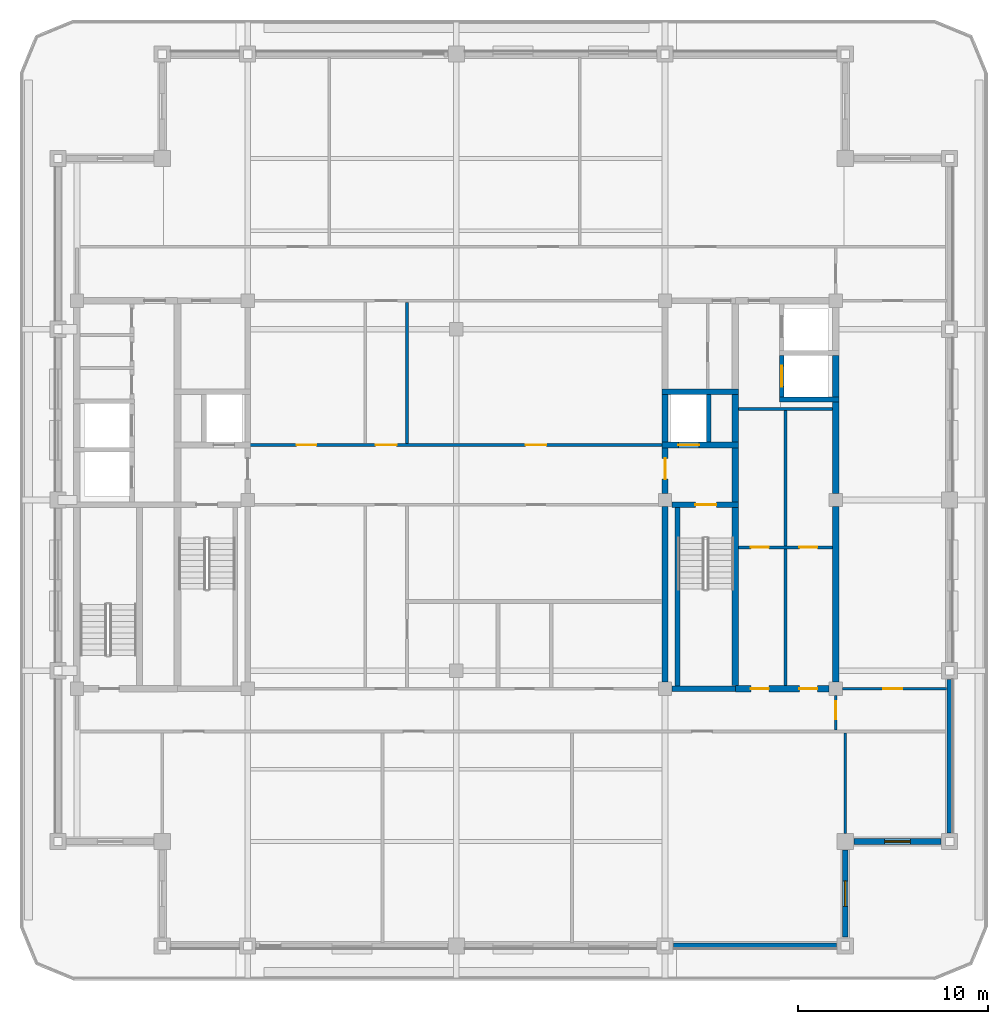
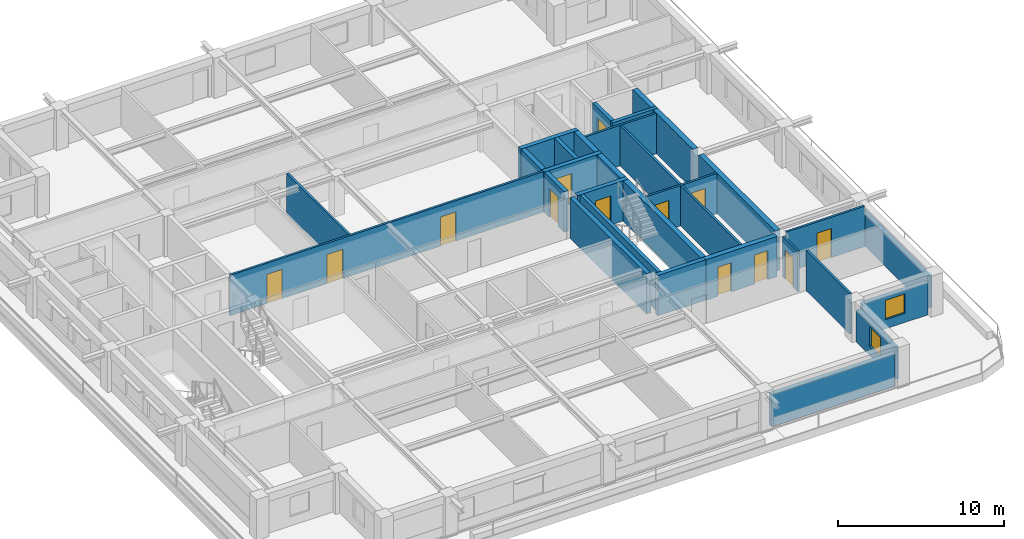
# One storey, part 4 of 11: 31 walls, 13 doors, 2 windows, 15 openings.
"""IFC4 building model written with IfcOpenShell, lengths in metres."""

from ifc_helpers import new_model, si_unit, direction, frame, frame_2d, origin, place, context, subcontext, project, spatial, rectangle, extrude, material, layer, layer_set, type_object, element, fill, save


model = new_model("IFC4")

# Units and contexts
model_context = context("Model", 3, precision=1e-05, world=origin(), true_north=direction((0.0, 1.0)))
body_context = subcontext(model_context, "Body", "Model", "MODEL_VIEW")
ifc_project = project(units=[si_unit("LENGTHUNIT", "METRE"), si_unit("AREAUNIT", "SQUARE_METRE"), si_unit("VOLUMEUNIT", "CUBIC_METRE"), si_unit("PLANEANGLEUNIT", "RADIAN"), si_unit("MASSUNIT", "GRAM", prefix="KILO")], contexts=[model_context])

# Site, building, storey
site_placement = place(None, origin())
site = spatial("IfcSite", under=ifc_project, at=site_placement, CompositionType="ELEMENT")
building_placement = place(site_placement, origin())
building = spatial("IfcBuilding", under=site, at=building_placement, Name="Zulmaris Gate Convention Tower", CompositionType="ELEMENT")
storey_placement = place(building_placement, frame((0.0, 0.0, 230.050048828125)))
storey = spatial("IfcBuildingStorey", under=building, at=storey_placement, Name="L60", CompositionType="ELEMENT", Elevation=230.050048828125)

# Walls
ifc_material_1 = material(Name="Concrete C50/60", Category="concrete")
ifc_layer_1 = layer(ifc_material_1, 0.25, Name="Concrete C50/60")
ifc_layer_set_1 = layer_set([ifc_layer_1], Name="Concrete C50/60")
wall_type_1 = type_object("IfcWallType", Name="CORE-250", PredefinedType="SOLIDWALL", material=ifc_layer_set_1)
wall_1_placement = place(storey_placement, frame((17.02490234375, 5.300048828125, 0.0), z_axis=(0.0, 0.0, 1.0), x_axis=(1.0, 0.0, 0.0)))
element("IfcWall", 1, at=wall_1_placement, inside=storey, type_object=wall_type_1, Name="WL-L60-011", PredefinedType="SOLIDWALL", context=body_context, shape_type="SweptSolid", body=[
    extrude(rectangle(XDim=3.150146484375, YDim=0.25, at=frame_2d((1.5751953125, 0.0))), origin(), (0.0, 0.0, 1.0), 2.97998046875),
])
wall_2_placement = place(storey_placement, frame((11.64990234375, -9.798095703125, 0.0), z_axis=(0.0, 0.0, 1.0), x_axis=(0.0, 1.0, 0.0)))
element("IfcWall", 2, at=wall_2_placement, inside=storey, type_object=wall_type_1, Name="WL-L60-053", PredefinedType="SOLIDWALL", context=body_context, shape_type="SweptSolid", body=[
    extrude(rectangle(XDim=9.39599609375, YDim=0.25, at=frame_2d((4.697998046875, 0.0))), origin(), (0.0, 0.0, 1.0), 2.97998046875),
])
wall_3_placement = place(storey_placement, frame((13.300048828125, 3.052001953125, 0.0), z_axis=(0.0, 0.0, 1.0), x_axis=(0.0, 1.0, 0.0)))
element("IfcWall", 3, at=wall_3_placement, inside=storey, type_object=wall_type_1, Name="WL-L60-054", PredefinedType="SOLIDWALL", context=body_context, shape_type="SweptSolid", body=[
    extrude(rectangle(XDim=2.49609375, YDim=0.25, at=frame_2d((1.248046875, 0.0))), origin(), (0.0, 0.0, 1.0), 2.97998046875),
])

# Wall, opening, door
wall_4_placement = place(storey_placement, frame((17.14990234375, 5.427001953125, 0.0), z_axis=(0.0, 0.0, 1.0), x_axis=(0.0, 1.0, 0.0)))
wall_4 = element("IfcWall", 4, at=wall_4_placement, inside=storey, type_object=wall_type_1, Name="WL-L60-059", PredefinedType="SOLIDWALL", context=body_context, shape_type="SweptSolid", body=[
    extrude(rectangle(XDim=2.196044921875, YDim=0.25, at=frame_2d((1.09814453125, 0.0))), origin(), (0.0, 0.0, 1.0), 2.97998046875),
])
opening_1_placement = place(wall_4_placement, frame((0.548095703125, 0.0, 0.0)))
opening_1 = element("IfcOpeningElement", 5, at=opening_1_placement, cuts=wall_4, Name="Opening D-06", PredefinedType="OPENING", context=body_context, shape_type="SweptSolid", body=[
    extrude(rectangle(XDim=1.10009765625, YDim=2.199951171875, at=frame_2d((0.550048828125, 1.10009765625))), frame((0.0, 0.135009765625, 0.0), z_axis=(0.0, -1.0, 0.0), x_axis=(1.0, 0.0, 0.0)), (0.0, 0.0, 1.0), 0.27001953125),
])
ifc_material_2 = material(Name="Brushed Stainless Steel", Category="steel")
door_type_1 = type_object("IfcDoorType", Name="LD-1100", OperationType="NOTDEFINED", PredefinedType="DOOR", material=ifc_material_2)
door_1_placement = place(opening_1_placement, origin())
door_1 = element("IfcDoor", 6, at=door_1_placement, inside=storey, type_object=door_type_1, Name="L60 Lift Landing Door HP-01 17", OperationType="SLIDING_TO_RIGHT", OverallHeight=2.199951171875, OverallWidth=1.10009765625, PredefinedType="DOOR", context=body_context, shape_type="SweptSolid", body=[
    extrude(rectangle(XDim=1.10009765625, YDim=2.199951171875, at=frame_2d((0.550048828125, 1.10009765625))), frame((0.0, 0.02490234375, 0.0), z_axis=(0.0, -1.0, 0.0), x_axis=(1.0, 0.0, 0.0)), (0.0, 0.0, 1.0), 0.050048828125),
])
fill(opening_1, door_1)

# Wall
ifc_layer_2 = layer(ifc_material_1, 0.300048828125, Name="Concrete C50/60")
ifc_layer_set_2 = layer_set([ifc_layer_2], Name="Concrete C50/60")
wall_type_2 = type_object("IfcWallType", Name="CORE-300", PredefinedType="SHEAR", material=ifc_layer_set_2)
wall_5_placement = place(storey_placement, frame((11.35400390625, -9.949951171875, 0.0), z_axis=(0.0, 0.0, 1.0), x_axis=(1.0, 0.0, 0.0)))
element("IfcWall", 7, at=wall_5_placement, inside=storey, type_object=wall_type_2, Name="WL-L60-003", PredefinedType="SHEAR", context=body_context, shape_type="SweptSolid", body=[
    extrude(rectangle(XDim=3.345947265625, YDim=0.300048828125, at=frame_2d((1.6728515625, 0.0))), origin(), (0.0, 0.0, 1.0), 2.97998046875),
])

# Wall, opening, door
wall_6_placement = place(storey_placement, frame((11.35400390625, -0.25, 0.0), z_axis=(0.0, 0.0, 1.0), x_axis=(1.0, 0.0, 0.0)))
wall_6 = element("IfcWall", 8, at=wall_6_placement, inside=storey, type_object=wall_type_2, Name="WL-L60-006", PredefinedType="SHEAR", context=body_context, shape_type="SweptSolid", body=[
    extrude(rectangle(XDim=3.52099609375, YDim=0.300048828125, at=frame_2d((1.760498046875, 0.0))), origin(), (0.0, 0.0, 1.0), 2.97998046875),
])
opening_2_placement = place(wall_6_placement, frame((1.24609375, 0.0, 0.0)))
opening_2 = element("IfcOpeningElement", 9, at=opening_2_placement, cuts=wall_6, Name="Opening D-08", PredefinedType="OPENING", context=body_context, shape_type="SweptSolid", body=[
    extrude(rectangle(XDim=1.10009765625, YDim=2.14990234375, at=frame_2d((0.550048828125, 1.074951171875))), frame((0.0, 0.16015625, 0.0), z_axis=(0.0, -1.0, 0.0), x_axis=(1.0, 0.0, 0.0)), (0.0, 0.0, 1.0), 0.320068359375),
])
ifc_material_3 = material(Name="Fire-Rated Steel", Category="steel")
door_type_2 = type_object("IfcDoorType", Name="DR-1100-FD", OperationType="NOTDEFINED", PredefinedType="DOOR", material=ifc_material_3)
door_2_placement = place(opening_2_placement, origin())
door_2 = element("IfcDoor", 10, at=door_2_placement, inside=storey, type_object=door_type_2, Name="L60 Exit Stair ST-2 Door 04", OperationType="SINGLE_SWING_LEFT", OverallHeight=2.14990234375, OverallWidth=1.10009765625, PredefinedType="DOOR", context=body_context, shape_type="SweptSolid", body=[
    extrude(rectangle(XDim=1.10009765625, YDim=2.14990234375, at=frame_2d((0.550048828125, 1.074951171875))), frame((0.0, 0.02490234375, 0.0), z_axis=(0.0, -1.0, 0.0), x_axis=(1.0, 0.0, 0.0)), (0.0, 0.0, 1.0), 0.050048828125),
])
fill(opening_2, door_2)

wall_7_placement = place(storey_placement, frame((10.85009765625, 2.89990234375, 0.0), z_axis=(0.0, 0.0, 1.0), x_axis=(1.0, 0.0, 0.0)))
wall_7 = element("IfcWall", 11, at=wall_7_placement, inside=storey, type_object=wall_type_2, Name="WL-L60-009", PredefinedType="SHEAR", context=body_context, shape_type="SweptSolid", body=[
    extrude(rectangle(XDim=4.02490234375, YDim=0.300048828125, at=frame_2d((2.012451171875, 0.0))), origin(), (0.0, 0.0, 1.0), 2.97998046875),
])
opening_3_placement = place(wall_7_placement, frame((0.85009765625, 0.0, 0.0)))
opening_3 = element("IfcOpeningElement", 12, at=opening_3_placement, cuts=wall_7, Name="Opening D-06", PredefinedType="OPENING", context=body_context, shape_type="SweptSolid", body=[
    extrude(rectangle(XDim=1.10009765625, YDim=2.199951171875, at=frame_2d((0.550048828125, 1.10009765625))), frame((0.0, 0.16015625, 0.0), z_axis=(0.0, -1.0, 0.0), x_axis=(1.0, 0.0, 0.0)), (0.0, 0.0, 1.0), 0.320068359375),
])
door_3_placement = place(opening_3_placement, origin())
door_3 = element("IfcDoor", 13, at=door_3_placement, inside=storey, type_object=door_type_1, Name="L60 Lift Landing Door LF-02 06", OperationType="SLIDING_TO_RIGHT", OverallHeight=2.199951171875, OverallWidth=1.10009765625, PredefinedType="DOOR", context=body_context, shape_type="SweptSolid", body=[
    extrude(rectangle(XDim=1.10009765625, YDim=2.199951171875, at=frame_2d((0.550048828125, 1.10009765625))), frame((0.0, 0.02490234375, 0.0), z_axis=(0.0, -1.0, 0.0), x_axis=(1.0, 0.0, 0.0)), (0.0, 0.0, 1.0), 0.050048828125),
])
fill(opening_3, door_3)

# Walls
wall_8_placement = place(storey_placement, frame((10.85009765625, 5.699951171875, 0.0), z_axis=(0.0, 0.0, 1.0), x_axis=(1.0, 0.0, 0.0)))
element("IfcWall", 14, at=wall_8_placement, inside=storey, type_object=wall_type_2, Name="WL-L60-013", PredefinedType="SHEAR", context=body_context, shape_type="SweptSolid", body=[
    extrude(rectangle(XDim=4.02490234375, YDim=0.300048828125, at=frame_2d((2.012451171875, 0.0))), origin(), (0.0, 0.0, 1.0), 2.97998046875),
])
wall_9_placement = place(storey_placement, frame((11.0, -9.595947265625, 0.0), z_axis=(0.0, 0.0, 1.0), x_axis=(0.0, 1.0, 0.0)))
element("IfcWall", 15, at=wall_9_placement, inside=storey, type_object=wall_type_2, Name="WL-L60-049", PredefinedType="SHEAR", context=body_context, shape_type="SweptSolid", body=[
    extrude(rectangle(XDim=9.241943359375, YDim=0.300048828125, at=frame_2d((4.62109375, 0.0))), origin(), (0.0, 0.0, 1.0), 2.97998046875),
])

# Wall, opening, door
wall_10_placement = place(storey_placement, frame((11.0, 0.35400390625, 0.0), z_axis=(0.0, 0.0, 1.0), x_axis=(0.0, 1.0, 0.0)))
wall_10 = element("IfcWall", 16, at=wall_10_placement, inside=storey, type_object=wall_type_2, Name="WL-L60-050", PredefinedType="SHEAR", context=body_context, shape_type="SweptSolid", body=[
    extrude(rectangle(XDim=2.39404296875, YDim=0.300048828125, at=frame_2d((1.197021484375, 0.0))), origin(), (0.0, 0.0, 1.0), 2.97998046875),
])
opening_4_placement = place(wall_10_placement, frame((0.74609375, 0.0, 0.0)))
opening_4 = element("IfcOpeningElement", 17, at=opening_4_placement, cuts=wall_10, Name="Opening D-08", PredefinedType="OPENING", context=body_context, shape_type="SweptSolid", body=[
    extrude(rectangle(XDim=1.10009765625, YDim=2.14990234375, at=frame_2d((0.550048828125, 1.074951171875))), frame((0.0, 0.16015625, 0.0), z_axis=(0.0, -1.0, 0.0), x_axis=(1.0, 0.0, 0.0)), (0.0, 0.0, 1.0), 0.320068359375),
])
door_4_placement = place(opening_4_placement, origin())
door_4 = element("IfcDoor", 18, at=door_4_placement, inside=storey, type_object=door_type_2, Name="L60 East Firefighting Lobby Door 05", OperationType="SINGLE_SWING_RIGHT", OverallHeight=2.14990234375, OverallWidth=1.10009765625, PredefinedType="DOOR", context=body_context, shape_type="SweptSolid", body=[
    extrude(rectangle(XDim=1.10009765625, YDim=2.14990234375, at=frame_2d((0.550048828125, 1.074951171875))), frame((0.0, 0.02490234375, 0.0), z_axis=(0.0, -1.0, 0.0), x_axis=(1.0, 0.0, 0.0)), (0.0, 0.0, 1.0), 0.050048828125),
])
fill(opening_4, door_4)

# Wall
wall_11_placement = place(storey_placement, frame((11.0, 3.052001953125, 0.0), z_axis=(0.0, 0.0, 1.0), x_axis=(0.0, 1.0, 0.0)))
element("IfcWall", 19, at=wall_11_placement, inside=storey, type_object=wall_type_2, Name="WL-L60-051", PredefinedType="SHEAR", context=body_context, shape_type="SweptSolid", body=[
    extrude(rectangle(XDim=2.49609375, YDim=0.300048828125, at=frame_2d((1.248046875, 0.0))), origin(), (0.0, 0.0, 1.0), 2.97998046875),
])

# Wall, openings, doors
ifc_material_4 = material(Name="Concrete C55/67", Category="concrete")
ifc_layer_3 = layer(ifc_material_4, 0.35009765625, Name="Concrete C55/67")
ifc_layer_set_3 = layer_set([ifc_layer_3], Name="Concrete C55/67")
wall_type_3 = type_object("IfcWallType", Name="CORE-350", PredefinedType="SHEAR", material=ifc_layer_set_3)
wall_12_placement = place(storey_placement, frame((14.699951171875, -9.949951171875, 0.0), z_axis=(0.0, 0.0, 1.0), x_axis=(1.0, 0.0, 0.0)))
wall_12 = element("IfcWall", 20, at=wall_12_placement, inside=storey, type_object=wall_type_3, Name="WL-L60-004", PredefinedType="SHEAR", context=body_context, shape_type="SweptSolid", body=[
    extrude(rectangle(XDim=4.946044921875, YDim=0.35009765625, at=frame_2d((2.47314453125, 0.0))), origin(), (0.0, 0.0, 1.0), 2.97998046875),
])
opening_5_placement = place(wall_12_placement, frame((0.824951171875, 0.0, 0.0)))
opening_5 = element("IfcOpeningElement", 21, at=opening_5_placement, cuts=wall_12, Name="Opening D-11", PredefinedType="OPENING", context=body_context, shape_type="SweptSolid", body=[
    extrude(rectangle(XDim=0.949951171875, YDim=2.14990234375, at=frame_2d((0.47509765625, 1.074951171875))), frame((0.0, 0.18505859375, 0.0), z_axis=(0.0, -1.0, 0.0), x_axis=(1.0, 0.0, 0.0)), (0.0, 0.0, 1.0), 0.3701171875),
])
opening_6_placement = place(wall_12_placement, frame((3.375, 0.0, 0.0)))
opening_6 = element("IfcOpeningElement", 22, at=opening_6_placement, cuts=wall_12, Name="Opening D-11", PredefinedType="OPENING", context=body_context, shape_type="SweptSolid", body=[
    extrude(rectangle(XDim=0.949951171875, YDim=2.14990234375, at=frame_2d((0.47509765625, 1.074951171875))), frame((0.0, 0.18505859375, 0.0), z_axis=(0.0, -1.0, 0.0), x_axis=(1.0, 0.0, 0.0)), (0.0, 0.0, 1.0), 0.3701171875),
])
ifc_material_5 = material(Name="Fire-Rated Timber", Category="wood")
door_type_3 = type_object("IfcDoorType", Name="DR-950-FD", OperationType="NOTDEFINED", PredefinedType="DOOR", material=ifc_material_5)
door_5_placement = place(opening_5_placement, origin())
door_5 = element("IfcDoor", 23, at=door_5_placement, inside=storey, type_object=door_type_3, Name="L60 Staff WC Door 20", OperationType="SINGLE_SWING_RIGHT", OverallHeight=2.14990234375, OverallWidth=0.949951171875, PredefinedType="DOOR", context=body_context, shape_type="SweptSolid", body=[
    extrude(rectangle(XDim=0.949951171875, YDim=2.14990234375, at=frame_2d((0.47509765625, 1.074951171875))), frame((0.0, 0.02490234375, 0.0), z_axis=(0.0, -1.0, 0.0), x_axis=(1.0, 0.0, 0.0)), (0.0, 0.0, 1.0), 0.050048828125),
])
fill(opening_5, door_5)
door_6_placement = place(opening_6_placement, origin())
door_6 = element("IfcDoor", 24, at=door_6_placement, inside=storey, type_object=door_type_3, Name="L60 Vending Room Door 22", OperationType="SINGLE_SWING_RIGHT", OverallHeight=2.14990234375, OverallWidth=0.949951171875, PredefinedType="DOOR", context=body_context, shape_type="SweptSolid", body=[
    extrude(rectangle(XDim=0.949951171875, YDim=2.14990234375, at=frame_2d((0.47509765625, 1.074951171875))), frame((0.0, 0.02490234375, 0.0), z_axis=(0.0, -1.0, 0.0), x_axis=(1.0, 0.0, 0.0)), (0.0, 0.0, 1.0), 0.050048828125),
])
fill(opening_6, door_6)

# Walls
wall_13_placement = place(storey_placement, frame((14.699951171875, -9.77294921875, 0.0), z_axis=(0.0, 0.0, 1.0), x_axis=(0.0, 1.0, 0.0)))
element("IfcWall", 25, at=wall_13_placement, inside=storey, type_object=wall_type_3, Name="WL-L60-055", PredefinedType="SHEAR", context=body_context, shape_type="SweptSolid", body=[
    extrude(rectangle(XDim=9.370849609375, YDim=0.35009765625, at=frame_2d((4.685546875, 0.0))), origin(), (0.0, 0.0, 1.0), 2.97998046875),
])
wall_14_placement = place(storey_placement, frame((14.699951171875, -0.097900390625, 0.0), z_axis=(0.0, 0.0, 1.0), x_axis=(0.0, 1.0, 0.0)))
element("IfcWall", 26, at=wall_14_placement, inside=storey, type_object=wall_type_3, Name="WL-L60-056", PredefinedType="SHEAR", context=body_context, shape_type="SweptSolid", body=[
    extrude(rectangle(XDim=2.845947265625, YDim=0.35009765625, at=frame_2d((1.4228515625, 0.0))), origin(), (0.0, 0.0, 1.0), 2.97998046875),
])
wall_15_placement = place(storey_placement, frame((14.699951171875, 3.052001953125, 0.0), z_axis=(0.0, 0.0, 1.0), x_axis=(0.0, 1.0, 0.0)))
element("IfcWall", 27, at=wall_15_placement, inside=storey, type_object=wall_type_3, Name="WL-L60-057", PredefinedType="SHEAR", context=body_context, shape_type="SweptSolid", body=[
    extrude(rectangle(XDim=2.49609375, YDim=0.35009765625, at=frame_2d((1.248046875, 0.0))), origin(), (0.0, 0.0, 1.0), 2.97998046875),
])
wall_16_placement = place(storey_placement, frame((20.0, -9.595947265625, 0.0), z_axis=(0.0, 0.0, 1.0), x_axis=(0.0, 1.0, 0.0)))
element("IfcWall", 28, at=wall_16_placement, inside=storey, type_object=wall_type_3, Name="WL-L60-061", PredefinedType="SHEAR", context=body_context, shape_type="SweptSolid", body=[
    extrude(rectangle(XDim=9.241943359375, YDim=0.35009765625, at=frame_2d((4.62109375, 0.0))), origin(), (0.0, 0.0, 1.0), 2.97998046875),
])
wall_17_placement = place(storey_placement, frame((20.0, 0.35400390625, 0.0), z_axis=(0.0, 0.0, 1.0), x_axis=(0.0, 1.0, 0.0)))
element("IfcWall", 29, at=wall_17_placement, inside=storey, type_object=wall_type_3, Name="WL-L60-061S1", PredefinedType="SHEAR", context=body_context, shape_type="SweptSolid", body=[
    extrude(rectangle(XDim=4.819091796875, YDim=0.35009765625, at=frame_2d((2.40966796875, 0.0))), origin(), (0.0, 0.0, 1.0), 2.97998046875),
])
wall_18_placement = place(storey_placement, frame((20.0, 5.427001953125, 0.0), z_axis=(0.0, 0.0, 1.0), x_axis=(0.0, 1.0, 0.0)))
element("IfcWall", 30, at=wall_18_placement, inside=storey, type_object=wall_type_3, Name="WL-L60-062", PredefinedType="SHEAR", context=body_context, shape_type="SweptSolid", body=[
    extrude(rectangle(XDim=2.196044921875, YDim=0.35009765625, at=frame_2d((1.09814453125, 0.0))), origin(), (0.0, 0.0, 1.0), 2.97998046875),
])

# Wall, opening, door
ifc_material_6 = material(Name="Gypsum Metal Stud Partition")
ifc_layer_4 = layer(ifc_material_6, 0.14990234375, Name="Gypsum Metal Stud Partition")
ifc_layer_set_4 = layer_set([ifc_layer_4], Name="Gypsum Metal Stud Partition")
wall_type_4 = type_object("IfcWallType", Name="PART-150", PredefinedType="PARTITIONING", material=ifc_layer_set_4)
wall_19_placement = place(storey_placement, frame((20.35595703125, -9.949951171875, 0.0), z_axis=(0.0, 0.0, 1.0), x_axis=(1.0, 0.0, 0.0)))
wall_19 = element("IfcWall", 31, at=wall_19_placement, inside=storey, type_object=wall_type_4, Name="WL-L60-021", PredefinedType="PARTITIONING", context=body_context, shape_type="SweptSolid", body=[
    extrude(rectangle(XDim=5.47900390625, YDim=0.14990234375, at=frame_2d((2.739501953125, 0.0))), origin(), (0.0, 0.0, 1.0), 2.97998046875),
])
opening_7_placement = place(wall_19_placement, frame((2.14404296875, 0.0, 0.0)))
opening_7 = element("IfcOpeningElement", 32, at=opening_7_placement, cuts=wall_19, Name="Opening D-10", PredefinedType="OPENING", context=body_context, shape_type="SweptSolid", body=[
    extrude(rectangle(XDim=1.0, YDim=2.14990234375, at=frame_2d((0.5, 1.074951171875))), frame((0.0, 0.0849609375, 0.0), z_axis=(0.0, -1.0, 0.0), x_axis=(1.0, 0.0, 0.0)), (0.0, 0.0, 1.0), 0.169921875),
])
door_type_4 = type_object("IfcDoorType", Name="DR-1000-FD", OperationType="NOTDEFINED", PredefinedType="DOOR", material=ifc_material_5)
door_7_placement = place(opening_7_placement, origin())
door_7 = element("IfcDoor", 33, at=door_7_placement, inside=storey, type_object=door_type_4, Name="L60 East Workplace South Door 44", OperationType="SINGLE_SWING_RIGHT", OverallHeight=2.14990234375, OverallWidth=1.0, PredefinedType="DOOR", context=body_context, shape_type="SweptSolid", body=[
    extrude(rectangle(XDim=1.0, YDim=2.14990234375, at=frame_2d((0.5, 1.074951171875))), frame((0.0, 0.02490234375, 0.0), z_axis=(0.0, -1.0, 0.0), x_axis=(1.0, 0.0, 0.0)), (0.0, 0.0, 1.0), 0.050048828125),
])
fill(opening_7, door_7)

# Wall, openings, doors
wall_20_placement = place(storey_placement, frame((14.8779296875, -2.5, 0.0), z_axis=(0.0, 0.0, 1.0), x_axis=(1.0, 0.0, 0.0)))
wall_20 = element("IfcWall", 34, at=wall_20_placement, inside=storey, type_object=wall_type_4, Name="WL-L60-023", PredefinedType="PARTITIONING", context=body_context, shape_type="SweptSolid", body=[
    extrude(rectangle(XDim=4.944091796875, YDim=0.14990234375, at=frame_2d((2.47216796875, 0.0))), origin(), (0.0, 0.0, 1.0), 2.97998046875),
])
opening_8_placement = place(wall_20_placement, frame((0.64697265625, 0.0, 0.0)))
opening_8 = element("IfcOpeningElement", 35, at=opening_8_placement, cuts=wall_20, Name="Opening D-11", PredefinedType="OPENING", context=body_context, shape_type="SweptSolid", body=[
    extrude(rectangle(XDim=0.949951171875, YDim=2.14990234375, at=frame_2d((0.47509765625, 1.074951171875))), frame((0.0, 0.0849609375, 0.0), z_axis=(0.0, -1.0, 0.0), x_axis=(1.0, 0.0, 0.0)), (0.0, 0.0, 1.0), 0.169921875),
])
opening_9_placement = place(wall_20_placement, frame((3.197021484375, 0.0, 0.0)))
opening_9 = element("IfcOpeningElement", 36, at=opening_9_placement, cuts=wall_20, Name="Opening D-11", PredefinedType="OPENING", context=body_context, shape_type="SweptSolid", body=[
    extrude(rectangle(XDim=0.949951171875, YDim=2.14990234375, at=frame_2d((0.47509765625, 1.074951171875))), frame((0.0, 0.0849609375, 0.0), z_axis=(0.0, -1.0, 0.0), x_axis=(1.0, 0.0, 0.0)), (0.0, 0.0, 1.0), 0.169921875),
])
door_8_placement = place(opening_8_placement, origin())
door_8 = element("IfcDoor", 37, at=door_8_placement, inside=storey, type_object=door_type_3, Name="L60 Locker Store Door 21", OperationType="SINGLE_SWING_LEFT", OverallHeight=2.14990234375, OverallWidth=0.949951171875, PredefinedType="DOOR", context=body_context, shape_type="SweptSolid", body=[
    extrude(rectangle(XDim=0.949951171875, YDim=2.14990234375, at=frame_2d((0.47509765625, 1.074951171875))), frame((0.0, 0.02490234375, 0.0), z_axis=(0.0, -1.0, 0.0), x_axis=(1.0, 0.0, 0.0)), (0.0, 0.0, 1.0), 0.050048828125),
])
fill(opening_8, door_8)
door_9_placement = place(opening_9_placement, origin())
door_9 = element("IfcDoor", 38, at=door_9_placement, inside=storey, type_object=door_type_3, Name="L60 Ice Store Door 23", OperationType="SINGLE_SWING_LEFT", OverallHeight=2.14990234375, OverallWidth=0.949951171875, PredefinedType="DOOR", context=body_context, shape_type="SweptSolid", body=[
    extrude(rectangle(XDim=0.949951171875, YDim=2.14990234375, at=frame_2d((0.47509765625, 1.074951171875))), frame((0.0, 0.02490234375, 0.0), z_axis=(0.0, -1.0, 0.0), x_axis=(1.0, 0.0, 0.0)), (0.0, 0.0, 1.0), 0.050048828125),
])
fill(opening_9, door_9)

wall_21_placement = place(storey_placement, frame((-11.0, 2.89990234375, 0.0), z_axis=(0.0, 0.0, 1.0), x_axis=(1.0, 0.0, 0.0)))
wall_21 = element("IfcWall", 39, at=wall_21_placement, inside=storey, type_object=wall_type_4, Name="WL-L60-025", PredefinedType="PARTITIONING", context=body_context, shape_type="SweptSolid", body=[
    extrude(rectangle(XDim=22.0, YDim=0.14990234375, at=frame_2d((11.0, 0.0))), origin(), (0.0, 0.0, 1.0), 2.97998046875),
])
opening_10_placement = place(wall_21_placement, frame((6.75, 0.0, 0.0)))
opening_10 = element("IfcOpeningElement", 40, at=opening_10_placement, cuts=wall_21, Name="Opening D-08", PredefinedType="OPENING", context=body_context, shape_type="SweptSolid", body=[
    extrude(rectangle(XDim=1.10009765625, YDim=2.14990234375, at=frame_2d((0.550048828125, 1.074951171875))), frame((0.0, 0.0849609375, 0.0), z_axis=(0.0, -1.0, 0.0), x_axis=(1.0, 0.0, 0.0)), (0.0, 0.0, 1.0), 0.169921875),
])
opening_11_placement = place(wall_21_placement, frame((2.574951171875, 0.0, 0.0)))
opening_11 = element("IfcOpeningElement", 41, at=opening_11_placement, cuts=wall_21, Name="Opening D-09", PredefinedType="OPENING", context=body_context, shape_type="SweptSolid", body=[
    extrude(rectangle(XDim=1.050048828125, YDim=2.14990234375, at=frame_2d((0.52490234375, 1.074951171875))), frame((0.0, 0.0849609375, 0.0), z_axis=(0.0, -1.0, 0.0), x_axis=(1.0, 0.0, 0.0)), (0.0, 0.0, 1.0), 0.169921875),
])
opening_12_placement = place(wall_21_placement, frame((14.64990234375, 0.0, 0.0)))
opening_12 = element("IfcOpeningElement", 42, at=opening_12_placement, cuts=wall_21, Name="Opening D-08", PredefinedType="OPENING", context=body_context, shape_type="SweptSolid", body=[
    extrude(rectangle(XDim=1.10009765625, YDim=2.14990234375, at=frame_2d((0.550048828125, 1.074951171875))), frame((0.0, 0.0849609375, 0.0), z_axis=(0.0, -1.0, 0.0), x_axis=(1.0, 0.0, 0.0)), (0.0, 0.0, 1.0), 0.169921875),
])
door_type_5 = type_object("IfcDoorType", Name="DR-1050-FD", OperationType="NOTDEFINED", PredefinedType="DOOR", material=ifc_material_3)
door_10_placement = place(opening_11_placement, origin())
door_10 = element("IfcDoor", 43, at=door_10_placement, inside=storey, type_object=door_type_5, Name="L60 Reception Door 34", OperationType="SINGLE_SWING_RIGHT", OverallHeight=2.14990234375, OverallWidth=1.050048828125, PredefinedType="DOOR", context=body_context, shape_type="SweptSolid", body=[
    extrude(rectangle(XDim=1.050048828125, YDim=2.14990234375, at=frame_2d((0.52490234375, 1.074951171875))), frame((0.0, 0.02490234375, 0.0), z_axis=(0.0, -1.0, 0.0), x_axis=(1.0, 0.0, 0.0)), (0.0, 0.0, 1.0), 0.050048828125),
])
fill(opening_11, door_10)
door_11_placement = place(opening_10_placement, origin())
door_11 = element("IfcDoor", 44, at=door_11_placement, inside=storey, type_object=door_type_2, Name="L60 Exec Cross North Door 26", OperationType="SINGLE_SWING_RIGHT", OverallHeight=2.14990234375, OverallWidth=1.10009765625, PredefinedType="DOOR", context=body_context, shape_type="SweptSolid", body=[
    extrude(rectangle(XDim=1.10009765625, YDim=2.14990234375, at=frame_2d((0.550048828125, 1.074951171875))), frame((0.0, 0.02490234375, 0.0), z_axis=(0.0, -1.0, 0.0), x_axis=(1.0, 0.0, 0.0)), (0.0, 0.0, 1.0), 0.050048828125),
])
fill(opening_10, door_11)
door_12_placement = place(opening_12_placement, origin())
door_12 = element("IfcDoor", 45, at=door_12_placement, inside=storey, type_object=door_type_2, Name="L60 Townhall Forum Door 35", OperationType="SINGLE_SWING_LEFT", OverallHeight=2.14990234375, OverallWidth=1.10009765625, PredefinedType="DOOR", context=body_context, shape_type="SweptSolid", body=[
    extrude(rectangle(XDim=1.10009765625, YDim=2.14990234375, at=frame_2d((0.550048828125, 1.074951171875))), frame((0.0, 0.02490234375, 0.0), z_axis=(0.0, -1.0, 0.0), x_axis=(1.0, 0.0, 0.0)), (0.0, 0.0, 1.0), 0.050048828125),
])
fill(opening_12, door_12)

# Walls
wall_22_placement = place(storey_placement, frame((14.8779296875, 4.800048828125, 0.0), z_axis=(0.0, 0.0, 1.0), x_axis=(1.0, 0.0, 0.0)))
element("IfcWall", 46, at=wall_22_placement, inside=storey, type_object=wall_type_4, Name="WL-L60-026", PredefinedType="PARTITIONING", context=body_context, shape_type="SweptSolid", body=[
    extrude(rectangle(XDim=4.944091796875, YDim=0.14990234375, at=frame_2d((2.47216796875, 0.0))), origin(), (0.0, 0.0, 1.0), 2.97998046875),
])
wall_23_placement = place(storey_placement, frame((-2.60009765625, 2.97802734375, 0.0), z_axis=(0.0, 0.0, 1.0), x_axis=(0.0, 1.0, 0.0)))
element("IfcWall", 47, at=wall_23_placement, inside=storey, type_object=wall_type_4, Name="WL-L60-076", PredefinedType="PARTITIONING", context=body_context, shape_type="SweptSolid", body=[
    extrude(rectangle(XDim=7.444091796875, YDim=0.14990234375, at=frame_2d((3.72216796875, 0.0))), origin(), (0.0, 0.0, 1.0), 2.97998046875),
])
wall_24_placement = place(storey_placement, frame((17.35009765625, -9.77197265625, 0.0), z_axis=(0.0, 0.0, 1.0), x_axis=(0.0, 1.0, 0.0)))
element("IfcWall", 48, at=wall_24_placement, inside=storey, type_object=wall_type_4, Name="WL-L60-082", PredefinedType="PARTITIONING", context=body_context, shape_type="SweptSolid", body=[
    extrude(rectangle(XDim=7.194091796875, YDim=0.14990234375, at=frame_2d((3.59716796875, 0.0))), origin(), (0.0, 0.0, 1.0), 2.97998046875),
])
wall_25_placement = place(storey_placement, frame((17.35009765625, -2.422119140625, 0.0), z_axis=(0.0, 0.0, 1.0), x_axis=(0.0, 1.0, 0.0)))
element("IfcWall", 49, at=wall_25_placement, inside=storey, type_object=wall_type_4, Name="WL-L60-083", PredefinedType="PARTITIONING", context=body_context, shape_type="SweptSolid", body=[
    extrude(rectangle(XDim=7.14404296875, YDim=0.14990234375, at=frame_2d((3.572021484375, 0.0))), origin(), (0.0, 0.0, 1.0), 2.97998046875),
])

# Wall, opening, door
wall_26_placement = place(storey_placement, frame((20.0, -12.1220703125, 0.0), z_axis=(0.0, 0.0, 1.0), x_axis=(0.0, 1.0, 0.0)))
wall_26 = element("IfcWall", 50, at=wall_26_placement, inside=storey, type_object=wall_type_4, Name="WL-L60-084", PredefinedType="PARTITIONING", context=body_context, shape_type="SweptSolid", body=[
    extrude(rectangle(XDim=1.816162109375, YDim=0.14990234375, at=frame_2d((0.908203125, 0.0))), origin(), (0.0, 0.0, 1.0), 2.97998046875),
])
opening_13_placement = place(wall_26_placement, frame((0.576904296875, 0.0, 0.0)))
opening_13 = element("IfcOpeningElement", 51, at=opening_13_placement, cuts=wall_26, Name="Opening D-11", PredefinedType="OPENING", context=body_context, shape_type="SweptSolid", body=[
    extrude(rectangle(XDim=0.949951171875, YDim=2.14990234375, at=frame_2d((0.47509765625, 1.074951171875))), frame((0.0, 0.0849609375, 0.0), z_axis=(0.0, -1.0, 0.0), x_axis=(1.0, 0.0, 0.0)), (0.0, 0.0, 1.0), 0.169921875),
])
door_13_placement = place(opening_13_placement, origin())
door_13 = element("IfcDoor", 52, at=door_13_placement, inside=storey, type_object=door_type_3, Name="L60 SE Spur Door 42", OperationType="SINGLE_SWING_RIGHT", OverallHeight=2.14990234375, OverallWidth=0.949951171875, PredefinedType="DOOR", context=body_context, shape_type="SweptSolid", body=[
    extrude(rectangle(XDim=0.949951171875, YDim=2.14990234375, at=frame_2d((0.47509765625, 1.074951171875))), frame((0.0, 0.02490234375, 0.0), z_axis=(0.0, -1.0, 0.0), x_axis=(1.0, 0.0, 0.0)), (0.0, 0.0, 1.0), 0.050048828125),
])
fill(opening_13, door_13)

# Wall
wall_27_placement = place(storey_placement, frame((20.5, -17.569091796875, 0.0), z_axis=(0.0, 0.0, 1.0), x_axis=(0.0, 1.0, 0.0)))
element("IfcWall", 53, at=wall_27_placement, inside=storey, type_object=wall_type_4, Name="WL-L60-086", PredefinedType="PARTITIONING", context=body_context, shape_type="SweptSolid", body=[
    extrude(rectangle(XDim=5.291015625, YDim=0.14990234375, at=frame_2d((2.6455078125, 0.0))), origin(), (0.0, 0.0, 1.0), 2.97998046875),
])

# Wall, opening, window
ifc_material_7 = material(Name="Precast concrete C40/50", Category="concrete")
ifc_layer_5 = layer(ifc_material_7, 0.300048828125, Name="Precast concrete C40/50")
ifc_layer_set_5 = layer_set([ifc_layer_5], Name="Precast concrete C40/50")
wall_type_5 = type_object("IfcWallType", Name="PRECAST-PIER-300", PredefinedType="STANDARD", material=ifc_layer_set_5)
wall_28_placement = place(storey_placement, frame((20.5, -23.044921875, 0.0), z_axis=(0.0, 0.0, 1.0), x_axis=(0.0, 1.0, 0.0)))
wall_28 = element("IfcWall", 54, at=wall_28_placement, inside=storey, type_object=wall_type_5, Name="EW-L60-NOTCH-SE1_0", PredefinedType="STANDARD", context=body_context, shape_type="SweptSolid", body=[
    extrude(rectangle(XDim=4.58984375, YDim=0.300048828125, at=frame_2d((2.294921875, 0.0))), origin(), (0.0, 0.0, 1.0), 2.3720703125),
])
opening_14_placement = place(wall_28_placement, frame((1.6201171875, 0.0, 0.679931640625)))
opening_14 = element("IfcOpeningElement", 55, at=opening_14_placement, cuts=wall_28, Name="Opening W-10", PredefinedType="OPENING", context=body_context, shape_type="SweptSolid", body=[
    extrude(rectangle(XDim=1.35009765625, YDim=1.419921875, at=frame_2d((0.675048828125, 0.7099609375))), frame((0.0, 0.16015625, 0.0), z_axis=(0.0, -1.0, 0.0), x_axis=(1.0, 0.0, 0.0)), (0.0, 0.0, 1.0), 0.320068359375),
])
ifc_material_8 = material(Name="Low-E Laminated Double Glazing in Aluminium Frame", Category="aluminium")
window_type = type_object("IfcWindowType", Name="WIN-1350x2000", PartitioningType="SINGLE_PANEL", PredefinedType="WINDOW", material=ifc_material_8)
window_1_placement = place(opening_14_placement, origin())
window_1 = element("IfcWindow", 56, at=window_1_placement, inside=storey, type_object=window_type, Name="WN-EW-L60-NOTCH-SE1_0", OverallHeight=1.419921875, OverallWidth=1.35009765625, PartitioningType="SINGLE_PANEL", PredefinedType="WINDOW", context=body_context, shape_type="SweptSolid", body=[
    extrude(rectangle(XDim=1.35009765625, YDim=1.419921875, at=frame_2d((0.675048828125, 0.7099609375))), frame((0.0, 0.030029296875, 0.0), z_axis=(0.0, -1.0, 0.0), x_axis=(1.0, 0.0, 0.0)), (0.0, 0.0, 1.0), 0.06005859375),
])
fill(opening_14, window_1)

wall_29_placement = place(storey_placement, frame((20.955078125, -18.0, 0.0), z_axis=(0.0, 0.0, 1.0), x_axis=(1.0, 0.0, 0.0)))
wall_29 = element("IfcWall", 57, at=wall_29_placement, inside=storey, type_object=wall_type_5, Name="EW-L60-NOTCH-SE2_0", PredefinedType="STANDARD", context=body_context, shape_type="SweptSolid", body=[
    extrude(rectangle(XDim=4.58984375, YDim=0.300048828125, at=frame_2d((2.294921875, 0.0))), origin(), (0.0, 0.0, 1.0), 2.3720703125),
])
opening_15_placement = place(wall_29_placement, frame((1.6201171875, 0.0, 0.679931640625)))
opening_15 = element("IfcOpeningElement", 58, at=opening_15_placement, cuts=wall_29, Name="Opening W-10", PredefinedType="OPENING", context=body_context, shape_type="SweptSolid", body=[
    extrude(rectangle(XDim=1.35009765625, YDim=1.419921875, at=frame_2d((0.675048828125, 0.7099609375))), frame((0.0, 0.16015625, 0.0), z_axis=(0.0, -1.0, 0.0), x_axis=(1.0, 0.0, 0.0)), (0.0, 0.0, 1.0), 0.320068359375),
])
window_2_placement = place(opening_15_placement, origin())
window_2 = element("IfcWindow", 59, at=window_2_placement, inside=storey, type_object=window_type, Name="WN-EW-L60-NOTCH-SE2_0", OverallHeight=1.419921875, OverallWidth=1.35009765625, PartitioningType="SINGLE_PANEL", PredefinedType="WINDOW", context=body_context, shape_type="SweptSolid", body=[
    extrude(rectangle(XDim=1.35009765625, YDim=1.419921875, at=frame_2d((0.675048828125, 0.7099609375))), frame((0.0, 0.030029296875, 0.0), z_axis=(0.0, -1.0, 0.0), x_axis=(1.0, 0.0, 0.0)), (0.0, 0.0, 1.0), 0.06005859375),
])
fill(opening_15, window_2)

# Walls
wall_30_placement = place(storey_placement, frame((11.455078125, -23.5, 0.0), z_axis=(0.0, 0.0, 1.0), x_axis=(1.0, 0.0, 0.0)))
element("IfcWall", 60, at=wall_30_placement, inside=storey, type_object=wall_type_5, Name="EW-L60-S-3_0", PredefinedType="STANDARD", context=body_context, shape_type="SweptSolid", body=[
    extrude(rectangle(XDim=8.58984375, YDim=0.300048828125, at=frame_2d((4.294921875, 0.0))), origin(), (0.0, 0.0, 1.0), 2.3720703125),
])
wall_31_placement = place(storey_placement, frame((26.0, -17.544921875, 0.0), z_axis=(0.0, 0.0, 1.0), x_axis=(0.0, 1.0, 0.0)))
element("IfcWall", 61, at=wall_31_placement, inside=storey, type_object=wall_type_5, Name="EW-L60-E-0_0", PredefinedType="STANDARD", context=body_context, shape_type="SweptSolid", body=[
    extrude(rectangle(XDim=8.08984375, YDim=0.300048828125, at=frame_2d((4.044921875, 0.0))), origin(), (0.0, 0.0, 1.0), 2.3720703125),
])

save(model, "model.ifc")
